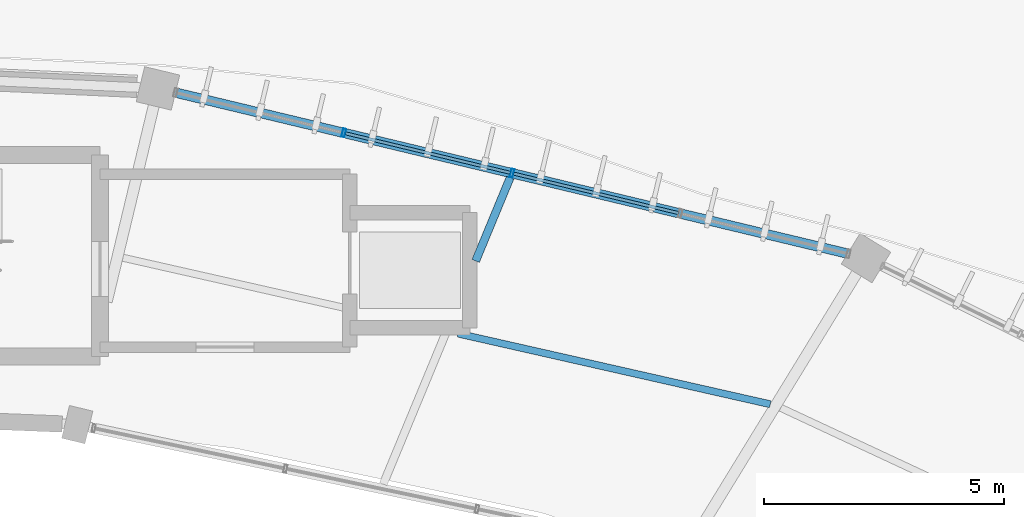
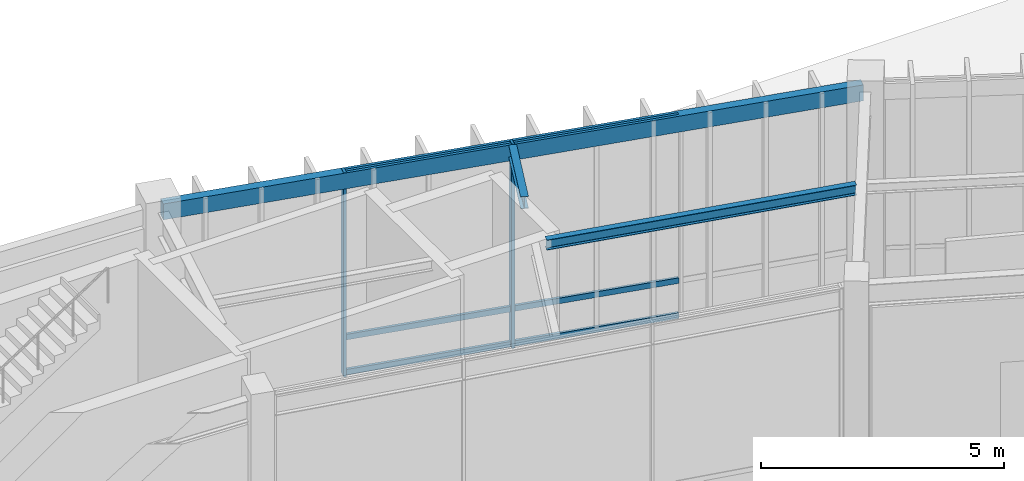
# One storey, part 81 of 157: 8 members, 3 beams, 1 element without a shape of its own.
"""IFC4 building model written with IfcOpenShell, lengths in metres."""

from ifc_helpers import new_model, si_unit, direction, frame, origin, origin_2d, place, context, subcontext, project, spatial, hollow_rectangle, i_section, extrude, material, material_profile, profile_set, type_object, element, aggregate, save


model = new_model("IFC4")

# Units and contexts
model_context = context("Model", 3, precision=1e-05, world=origin(), true_north=direction((0.0, 1.0)))
body_context = subcontext(model_context, "Body", "Model", "MODEL_VIEW")
ifc_project = project(units=[si_unit("LENGTHUNIT", "METRE"), si_unit("AREAUNIT", "SQUARE_METRE"), si_unit("VOLUMEUNIT", "CUBIC_METRE"), si_unit("PLANEANGLEUNIT", "RADIAN"), si_unit("MASSUNIT", "GRAM", prefix="KILO"), si_unit("THERMODYNAMICTEMPERATUREUNIT", "KELVIN"), si_unit("POWERUNIT", "WATT")], contexts=[model_context])

# Site, building, storey
site_placement = place(None, origin())
site = spatial("IfcSite", under=ifc_project, at=site_placement, CompositionType="ELEMENT")
building_placement = place(site_placement, origin())
building = spatial("IfcBuilding", under=site, at=building_placement, Name="Darbajah Civic Hall", CompositionType="ELEMENT")
storey_placement = place(building_placement, origin())
storey = spatial("IfcBuildingStorey", under=building, at=storey_placement, Name="L00", CompositionType="ELEMENT", Elevation=0.0)

# Curtain wall, members
ifc_material_1 = material(Name="Anodised Bronze Aluminium and Low-E Glazing", Category="aluminium")
curtain_wall_type = type_object("IfcCurtainWallType", Name="Unitised Curtain Wall CW-03 14400x5100", PredefinedType="USERDEFINED", material=ifc_material_1)
curtain_wall_placement = place(storey_placement, origin())
curtain_wall = element("IfcCurtainWall", 1, at=curtain_wall_placement, inside=storey, type_object=curtain_wall_type, Name="L00 unitised curtain wall CW-V1O-L00-03", ObjectType="UNITISED CURTAIN WALL", PredefinedType="USERDEFINED")
ifc_material_2 = material(Name="Anodised Bronze Aluminium", Category="aluminium")
ifc_material_profile_1 = material_profile(ifc_material_2, hollow_rectangle(XDim=0.06494140625, YDim=0.179931640625, WallThickness=0.00390625, at=origin_2d()), Name="ALU MULLION 65x180")
ifc_profile_set_1 = profile_set([ifc_material_profile_1], Name="Anodised Bronze Aluminium")
member_type_1 = type_object("IfcMemberType", Name="ALU MULLION 65x180", PredefinedType="MULLION", material=ifc_profile_set_1)
member_1_placement = place(storey_placement, frame((108.37646484375, 116.718994140625, 0.0), z_axis=(0.0, 0.0, 1.0), x_axis=(-0.972492018808, 0.232936200179, 0.0)))
member_1 = element("IfcMember", 2, at=member_1_placement, type_object=member_type_1, Name="CW-V1O-L00-03 mullion 3", PredefinedType="MULLION", context=body_context, shape_type="SweptSolid", body=[
    extrude(hollow_rectangle(XDim=0.06494140625, YDim=0.179931640625, WallThickness=0.00390625, at=origin_2d()), origin(), (0.0, 0.0, 1.0), 5.1201171875),
])
member_2_placement = place(storey_placement, frame((104.87451171875, 117.55810546875, 0.0), z_axis=(0.0, 0.0, 1.0), x_axis=(-0.972492018808, 0.232936200179, 0.0)))
member_2 = element("IfcMember", 3, at=member_2_placement, type_object=member_type_1, Name="CW-V1O-L00-03 mullion 4", PredefinedType="MULLION", context=body_context, shape_type="SweptSolid", body=[
    extrude(hollow_rectangle(XDim=0.06494140625, YDim=0.179931640625, WallThickness=0.00390625, at=origin_2d()), origin(), (0.0, 0.0, 1.0), 5.1201171875),
])
ifc_material_profile_2 = material_profile(ifc_material_2, hollow_rectangle(XDim=0.06494140625, YDim=0.139892578125, WallThickness=0.00341796875, at=origin_2d()), Name="ALU TRANSOM 65x140")
ifc_profile_set_2 = profile_set([ifc_material_profile_2], Name="Anodised Bronze Aluminium")
member_type_2 = type_object("IfcMemberType", Name="ALU TRANSOM 65x140", PredefinedType="USERDEFINED", material=ifc_profile_set_2)
member_3_placement = place(storey_placement, frame((111.84228515625, 115.888427734375, 0.070068359375), z_axis=(-0.972466430891, 0.23304300202, 0.0), x_axis=(-0.23304300202, -0.972466430891, 0.0)))
member_3 = element("IfcMember", 4, at=member_3_placement, type_object=member_type_2, Name="CW-V1O-L00-03 transom 2.1", ObjectType="TRANSOM", PredefinedType="USERDEFINED", context=body_context, shape_type="SweptSolid", body=[
    extrude(hollow_rectangle(XDim=0.06494140625, YDim=0.139892578125, WallThickness=0.00341796875, at=origin_2d()), origin(), (0.0, 0.0, 1.0), 3.5263671875),
])
member_4_placement = place(storey_placement, frame((111.84228515625, 115.888427734375, 0.949951171875), z_axis=(-0.972466430891, 0.23304300202, 0.0), x_axis=(-0.23304300202, -0.972466430891, 0.0)))
member_4 = element("IfcMember", 5, at=member_4_placement, type_object=member_type_2, Name="CW-V1O-L00-03 transom 2.2", ObjectType="TRANSOM", PredefinedType="USERDEFINED", context=body_context, shape_type="SweptSolid", body=[
    extrude(hollow_rectangle(XDim=0.06494140625, YDim=0.139892578125, WallThickness=0.00341796875, at=origin_2d()), origin(), (0.0, 0.0, 1.0), 3.5263671875),
])
member_5_placement = place(storey_placement, frame((111.84228515625, 115.888427734375, 5.050048828125), z_axis=(-0.972466430891, 0.23304300202, 0.0), x_axis=(-0.23304300202, -0.972466430891, 0.0)))
member_5 = element("IfcMember", 6, at=member_5_placement, type_object=member_type_2, Name="CW-V1O-L00-03 transom 2.3", ObjectType="TRANSOM", PredefinedType="USERDEFINED", context=body_context, shape_type="SweptSolid", body=[
    extrude(hollow_rectangle(XDim=0.06494140625, YDim=0.139892578125, WallThickness=0.00341796875, at=origin_2d()), origin(), (0.0, 0.0, 1.0), 3.5263671875),
])
member_6_placement = place(storey_placement, frame((108.340087890625, 116.7275390625, 0.070068359375), z_axis=(-0.972466430891, 0.23304300202, 0.0), x_axis=(-0.23304300202, -0.972466430891, 0.0)))
member_6 = element("IfcMember", 7, at=member_6_placement, type_object=member_type_2, Name="CW-V1O-L00-03 transom 3.1", ObjectType="TRANSOM", PredefinedType="USERDEFINED", context=body_context, shape_type="SweptSolid", body=[
    extrude(hollow_rectangle(XDim=0.06494140625, YDim=0.139892578125, WallThickness=0.00341796875, at=origin_2d()), origin(), (0.0, 0.0, 1.0), 3.5263671875),
])
member_7_placement = place(storey_placement, frame((108.340087890625, 116.7275390625, 0.949951171875), z_axis=(-0.972466430891, 0.23304300202, 0.0), x_axis=(-0.23304300202, -0.972466430891, 0.0)))
member_7 = element("IfcMember", 8, at=member_7_placement, type_object=member_type_2, Name="CW-V1O-L00-03 transom 3.2", ObjectType="TRANSOM", PredefinedType="USERDEFINED", context=body_context, shape_type="SweptSolid", body=[
    extrude(hollow_rectangle(XDim=0.06494140625, YDim=0.139892578125, WallThickness=0.00341796875, at=origin_2d()), origin(), (0.0, 0.0, 1.0), 3.5263671875),
])
member_8_placement = place(storey_placement, frame((108.340087890625, 116.7275390625, 5.050048828125), z_axis=(-0.972466430891, 0.23304300202, 0.0), x_axis=(-0.23304300202, -0.972466430891, 0.0)))
member_8 = element("IfcMember", 9, at=member_8_placement, type_object=member_type_2, Name="CW-V1O-L00-03 transom 3.3", ObjectType="TRANSOM", PredefinedType="USERDEFINED", context=body_context, shape_type="SweptSolid", body=[
    extrude(hollow_rectangle(XDim=0.06494140625, YDim=0.139892578125, WallThickness=0.00341796875, at=origin_2d()), origin(), (0.0, 0.0, 1.0), 3.5263671875),
])
aggregate(curtain_wall, [member_1, member_2, member_3, member_4, member_5, member_6, member_7, member_8])

# Beams
ifc_material_3 = material(Name="Steel S355JR", Category="steel")
ifc_material_profile_3 = material_profile(ifc_material_3, hollow_rectangle(XDim=0.199951171875, YDim=0.39990234375, WallThickness=0.013916015625, at=origin_2d()), Name="RHS 400x200x14")
ifc_profile_set_3 = profile_set([ifc_material_profile_3], Name="Steel S355JR")
beam_type_1 = type_object("IfcBeamType", Name="RHS 400x200x14", PredefinedType="SPANDREL", material=ifc_profile_set_3)
beam_1_placement = place(storey_placement, frame((115.669677734375, 114.971435546875, 4.919921875), z_axis=(-0.972475144086, 0.233006639679, 0.0), x_axis=(-0.233006639679, -0.972475144086, 0.0)))
element("IfcBeam", 10, at=beam_1_placement, inside=storey, type_object=beam_type_1, Name="L00 beam SP-RHS400", PredefinedType="SPANDREL", context=body_context, shape_type="SweptSolid", body=[
    extrude(hollow_rectangle(XDim=0.199951171875, YDim=0.39990234375, WallThickness=0.013916015625, at=origin_2d()), origin(), (0.0, 0.0, 1.0), 14.9990234375),
])
ifc_material_profile_4 = material_profile(ifc_material_3, i_section(OverallWidth=0.146484375, OverallDepth=0.256103515625, WebThickness=0.00634765625, FlangeThickness=0.010986328125, FilletRadius=0.007568359375, at=origin_2d()), Name="UB 254x146x37")
ifc_profile_set_4 = profile_set([ifc_material_profile_4], Name="Steel S355JR")
beam_type_2 = type_object("IfcBeamType", Name="UB 254x146x37", PredefinedType="JOIST", material=ifc_profile_set_4)
beam_2_placement = place(storey_placement, frame((113.75341796875, 111.908935546875, 4.991943359375), z_axis=(-0.975333988731, 0.220734252953, 0.0), x_axis=(-0.220734252953, -0.975333988731, 0.0)))
element("IfcBeam", 11, at=beam_2_placement, inside=storey, type_object=beam_type_2, Name="L00 beam SJ-254", PredefinedType="JOIST", context=body_context, shape_type="SweptSolid", body=[
    extrude(i_section(OverallWidth=0.146484375, OverallDepth=0.256103515625, WebThickness=0.00634765625, FlangeThickness=0.010986328125, FilletRadius=0.007568359375, at=origin_2d()), origin(), (0.0, 0.0, 1.0), 6.663818359375),
])
ifc_material_profile_5 = material_profile(ifc_material_3, i_section(OverallWidth=0.165771484375, OverallDepth=0.306640625, WebThickness=0.006591796875, FlangeThickness=0.01171875, FilletRadius=0.0087890625, at=origin_2d()), Name="UB 305x165x46")
ifc_profile_set_5 = profile_set([ifc_material_profile_5], Name="Steel S355JR")
beam_type_3 = type_object("IfcBeamType", Name="UB 305x165x46", PredefinedType="JOIST", material=ifc_profile_set_5)
beam_3_placement = place(storey_placement, frame((107.6201171875, 114.892578125, 4.966796875), z_axis=(0.382589483091, 0.923918441978, 0.0), x_axis=(-0.923918441978, 0.382589483091, 0.0)))
element("IfcBeam", 12, at=beam_3_placement, inside=storey, type_object=beam_type_3, Name="L00 beam SJ-305", PredefinedType="JOIST", context=body_context, shape_type="SweptSolid", body=[
    extrude(i_section(OverallWidth=0.165771484375, OverallDepth=0.306640625, WebThickness=0.006591796875, FlangeThickness=0.01171875, FilletRadius=0.0087890625, at=origin_2d()), origin(), (0.0, 0.0, 1.0), 1.874755859375),
])

save(model, "model.ifc")
